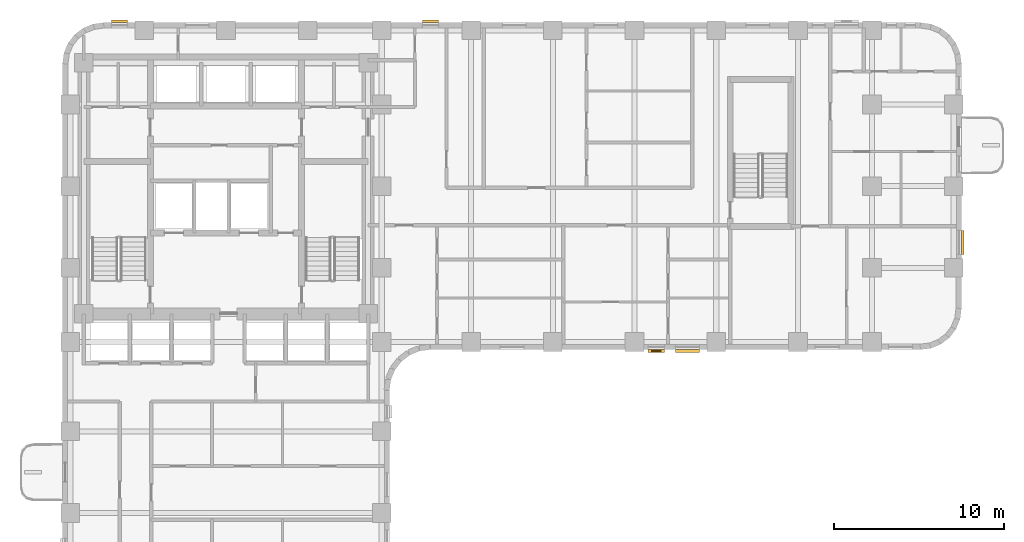
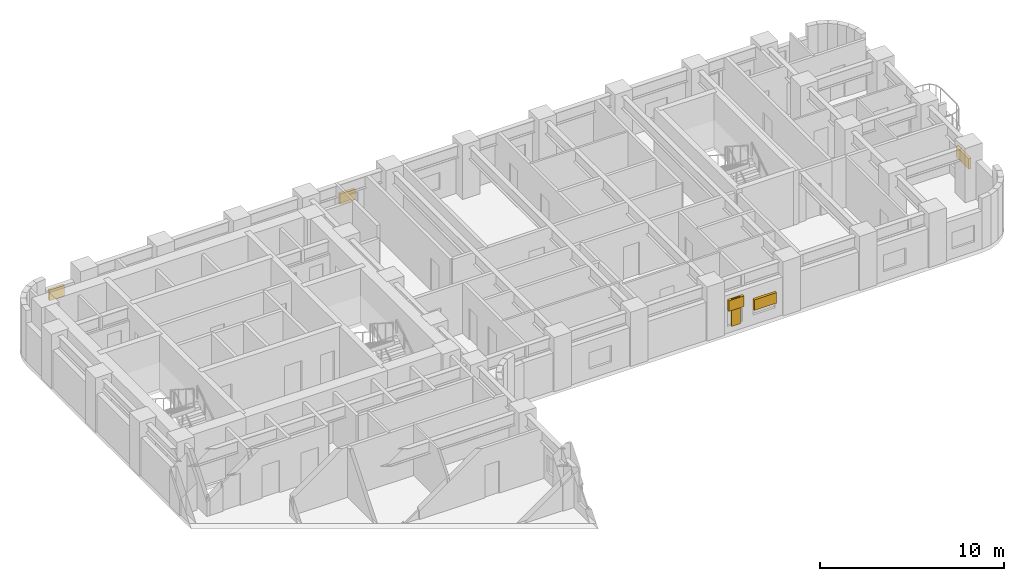
# One storey, part 11 of 12: 6 shading devices.
"""IFC4 building model written with IfcOpenShell, lengths in metres."""

from ifc_helpers import new_model, si_unit, direction, frame, origin, origin_2d, place, context, subcontext, project, spatial, rectangle, extrude, material, type_object, element, save


model = new_model("IFC4")

# Units and contexts
model_context = context("Model", 3, precision=1e-05, world=origin(), true_north=direction((0.0, 1.0)))
body_context = subcontext(model_context, "Body", "Model", "MODEL_VIEW")
ifc_project = project(units=[si_unit("LENGTHUNIT", "METRE"), si_unit("AREAUNIT", "SQUARE_METRE"), si_unit("VOLUMEUNIT", "CUBIC_METRE"), si_unit("PLANEANGLEUNIT", "RADIAN"), si_unit("MASSUNIT", "GRAM", prefix="KILO")], contexts=[model_context])

# Site, building, storey
site_placement = place(None, origin())
site = spatial("IfcSite", under=ifc_project, at=site_placement, CompositionType="ELEMENT")
building_placement = place(site_placement, origin())
building = spatial("IfcBuilding", under=site, at=building_placement, Name="Orvandelia Arch Residences", CompositionType="ELEMENT")
storey_placement = place(building_placement, frame((0.0, 0.0, 71.800048828125)))
storey = spatial("IfcBuildingStorey", under=building, at=storey_placement, Name="L18", CompositionType="ELEMENT", Elevation=71.800048828125)

# Shading devices
ifc_material_1 = material(Name="Anodised Champagne-Bronze Extruded Aluminium", Category="aluminium")
shading_device_type_1 = type_object("IfcShadingDeviceType", Name="SHD-JALOUSIE-SCREEN", PredefinedType="JALOUSIE", material=ifc_material_1)
for number, where, z_axis, x_axis, name in (
    (1, (26.4150390625, 48.080078125, 1.5498046875), (0.0, 0.0, 1.0), (1.0, 0.0, 0.0), "Bronze Jalousie Sun-Shade L18-001"),
    (2, (8.14501953125, 48.080078125, 1.5498046875), (0.0, 0.0, 1.0), (1.0, 0.0, 0.0), "Bronze Jalousie Sun-Shade L18-002"),
):
    element("IfcShadingDevice", number, at=place(storey_placement, frame(where, z_axis=z_axis, x_axis=x_axis)), inside=storey, type_object=shading_device_type_1, Name=name, PredefinedType="JALOUSIE", context=body_context, shape_type="SweptSolid", body=[
        extrude(rectangle(XDim=0.949951171875, YDim=0.159912109375, at=origin_2d()), origin(), (0.0, 0.0, 1.0), 0.699951171875),
    ])
for number, where, z_axis, x_axis, name in (
    (3, (57.679931640625, 35.10009765625, 1.0498046875), (0.0, 0.0, 1.0), (0.0, -1.0, 0.0), "Bronze Jalousie Sun-Shade L18-004"),
    (4, (41.49951171875, 28.719970703125, 1.0498046875), (0.0, 0.0, 1.0), (-1.0, 0.0, 0.0), "Bronze Jalousie Sun-Shade L18-005"),
):
    element("IfcShadingDevice", number, at=place(storey_placement, frame(where, z_axis=z_axis, x_axis=x_axis)), inside=storey, type_object=shading_device_type_1, Name=name, PredefinedType="JALOUSIE", context=body_context, shape_type="SweptSolid", body=[
        extrude(rectangle(XDim=1.39990234375, YDim=0.159912109375, at=origin_2d()), origin(), (0.0, 0.0, 1.0), 0.699951171875),
    ])
shading_device_1_placement = place(storey_placement, frame((39.66943359375, 28.719970703125, 1.5498046875), z_axis=(0.0, 0.0, 1.0), x_axis=(-1.0, 0.0, 0.0)))
element("IfcShadingDevice", 5, at=shading_device_1_placement, inside=storey, type_object=shading_device_type_1, Name="Bronze Jalousie Sun-Shade L18-006", PredefinedType="JALOUSIE", context=body_context, shape_type="SweptSolid", body=[
    extrude(rectangle(XDim=0.949951171875, YDim=0.159912109375, at=origin_2d()), origin(), (0.0, 0.0, 1.0), 0.699951171875),
])
ifc_material_2 = material(Name="Marine-Grade Perforated Aluminium Storm Shutter", Category="aluminium")
shading_device_type_2 = type_object("IfcShadingDeviceType", Name="SHD-STORM-SHUTTER", PredefinedType="SHUTTER", material=ifc_material_2)
shading_device_2_placement = place(storey_placement, frame((39.66943359375, 28.719970703125, 0.44970703125), z_axis=(0.0, 0.0, 1.0), x_axis=(-1.0, 0.0, 0.0)))
element("IfcShadingDevice", 6, at=shading_device_2_placement, inside=storey, type_object=shading_device_type_2, Name="Operable Typhoon Storm Shutter L18-006", PredefinedType="SHUTTER", context=body_context, shape_type="SweptSolid", body=[
    extrude(rectangle(XDim=0.550048828125, YDim=0.080078125, at=origin_2d()), origin(), (0.0, 0.0, 1.0), 1.800048828125),
])

save(model, "model.ifc")
